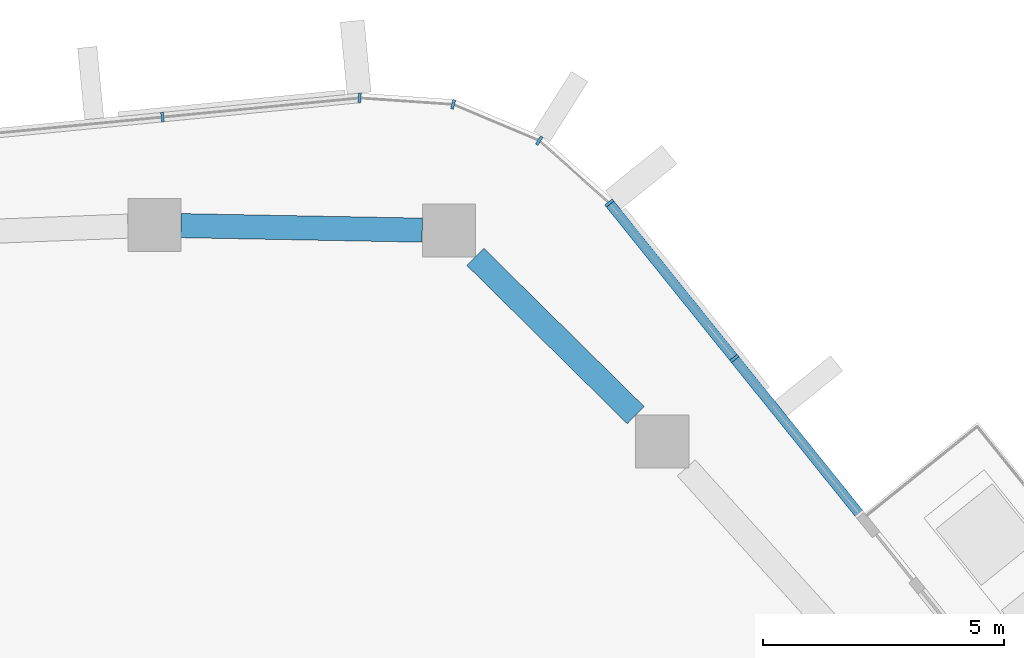
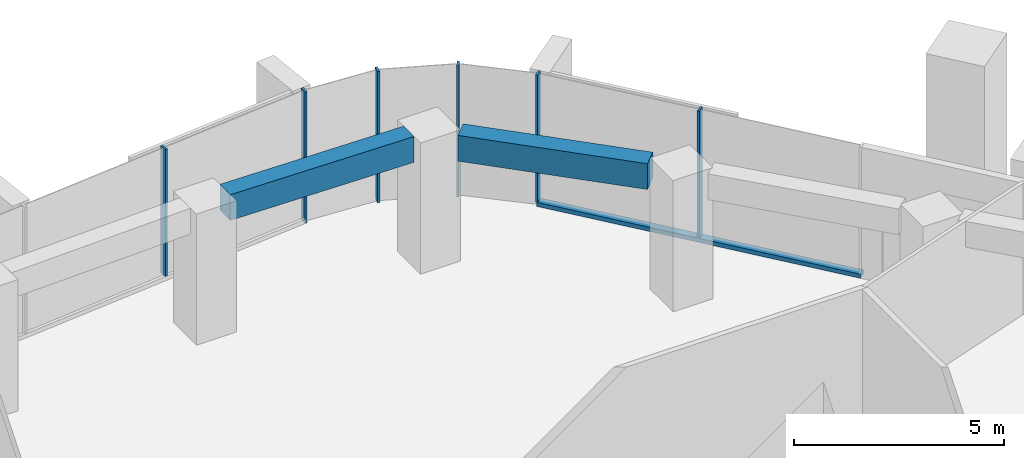
# One storey, part 9 of 20: 7 members, 2 beams, 3 elements without a shape of their own.
"""IFC4 building model written with IfcOpenShell, lengths in metres."""

from ifc_helpers import new_model, si_unit, direction, frame, origin, origin_2d, place, context, subcontext, project, spatial, rectangle, extrude, material, layer, layer_set, material_profile, profile_set, type_object, element, aggregate, save


model = new_model("IFC4")

# Units and contexts
model_context = context("Model", 3, precision=1e-05, world=origin(), true_north=direction((0.0, 1.0)))
body_context = subcontext(model_context, "Body", "Model", "MODEL_VIEW")
ifc_project = project(units=[si_unit("LENGTHUNIT", "METRE"), si_unit("AREAUNIT", "SQUARE_METRE"), si_unit("VOLUMEUNIT", "CUBIC_METRE"), si_unit("PLANEANGLEUNIT", "RADIAN"), si_unit("MASSUNIT", "GRAM", prefix="KILO")], contexts=[model_context])

# Site, building, storey
site_placement = place(None, origin())
site = spatial("IfcSite", under=ifc_project, at=site_placement, CompositionType="ELEMENT")
building_placement = place(site_placement, origin())
building = spatial("IfcBuilding", under=site, at=building_placement, Name="Dongbaek Canopy Tower", CompositionType="ELEMENT")
storey_placement = place(building_placement, frame((0.0, 0.0, 262.199951171875)))
storey = spatial("IfcBuildingStorey", under=building, at=storey_placement, Name="L55", CompositionType="ELEMENT", Elevation=262.199951171875)

# Curtain wall, members
ifc_material_1 = material(Name="Aluminium 6063-T6 pale anodised", Category="aluminium")
ifc_layer = layer(ifc_material_1, 0.199951171875)
ifc_layer_set = layer_set([ifc_layer], Name="CW-1 unitised tower curtain wall")
curtain_wall_type = type_object("IfcCurtainWallType", Name="CW-1 unitised tower curtain wall", PredefinedType="NOTDEFINED", material=ifc_layer_set)
curtain_wall_1_placement = place(storey_placement, origin())
curtain_wall_1 = element("IfcCurtainWall", 1, at=curtain_wall_1_placement, inside=storey, type_object=curtain_wall_type, Name="CW-1 curtain wall F0.1", PredefinedType="NOTDEFINED")
ifc_material_2 = material(Name="Aluminium 6063-T6 pale anodised", Category="aluminium")
ifc_material_profile_1 = material_profile(ifc_material_2, rectangle(XDim=0.199951171875, YDim=0.06005859375, at=origin_2d()), Name="CW-1 mullion 60 x 200")
ifc_profile_set_1 = profile_set([ifc_material_profile_1], Name="Aluminium 6063-T6 pale anodised")
member_type_1 = type_object("IfcMemberType", Name="CW-1 mullion 60 x 200", PredefinedType="MULLION", material=ifc_profile_set_1)
member_1_placement = place(storey_placement, frame((16.91357421875, 21.947998046875, 0.1201171875), z_axis=(0.0, 0.0, 1.0), x_axis=(0.779126406475, 0.626866846096, 0.0)))
member_1 = element("IfcMember", 2, at=member_1_placement, type_object=member_type_1, Name="CW-1 mullion F0.1.2", PredefinedType="MULLION", context=body_context, shape_type="SweptSolid", body=[
    extrude(rectangle(XDim=0.199951171875, YDim=0.06005859375, at=origin_2d()), origin(), (0.0, 0.0, 1.0), 3.699951171875),
])
member_2_placement = place(storey_placement, frame((14.3193359375, 25.17236328125, 0.1201171875), z_axis=(0.0, 0.0, 1.0), x_axis=(0.779126406475, 0.626866846096, 0.0)))
member_2 = element("IfcMember", 3, at=member_2_placement, type_object=member_type_1, Name="CW-1 mullion F0.1.3", PredefinedType="MULLION", context=body_context, shape_type="SweptSolid", body=[
    extrude(rectangle(XDim=0.199951171875, YDim=0.06005859375, at=origin_2d()), origin(), (0.0, 0.0, 1.0), 3.699951171875),
])

curtain_wall_2_placement = place(storey_placement, origin())
curtain_wall_2 = element("IfcCurtainWall", 4, at=curtain_wall_2_placement, inside=storey, type_object=curtain_wall_type, Name="CW-1 curtain wall K1.1", PredefinedType="NOTDEFINED")
member_3_placement = place(storey_placement, frame((12.866943359375, 26.4677734375, 0.0), z_axis=(0.0, 0.0, 1.0), x_axis=(0.53397526662, 0.845500097361, 0.0)))
member_3 = element("IfcMember", 5, at=member_3_placement, type_object=member_type_1, Name="CW-1 mullion K1.1.2", PredefinedType="MULLION", context=body_context, shape_type="SweptSolid", body=[
    extrude(rectangle(XDim=0.199951171875, YDim=0.06005859375, at=origin_2d()), origin(), (0.0, 0.0, 1.0), 3.820068359375),
])
member_4_placement = place(storey_placement, frame((11.0810546875, 27.21923828125, 0.0), z_axis=(0.0, 0.0, 1.0), x_axis=(0.231208419805, 0.97290424329, 0.0)))
member_4 = element("IfcMember", 6, at=member_4_placement, type_object=member_type_1, Name="CW-1 mullion K1.1.3", PredefinedType="MULLION", context=body_context, shape_type="SweptSolid", body=[
    extrude(rectangle(XDim=0.199951171875, YDim=0.06005859375, at=origin_2d()), origin(), (0.0, 0.0, 1.0), 3.820068359375),
])
member_5_placement = place(storey_placement, frame((9.1396484375, 27.35205078125, 0.0), z_axis=(0.0, 0.0, 1.0), x_axis=(0.06827854959, 0.997666296748, 0.0)))
member_5 = element("IfcMember", 7, at=member_5_placement, type_object=member_type_1, Name="CW-1 mullion K1.1.4", PredefinedType="MULLION", context=body_context, shape_type="SweptSolid", body=[
    extrude(rectangle(XDim=0.199951171875, YDim=0.06005859375, at=origin_2d()), origin(), (0.0, 0.0, 1.0), 3.820068359375),
])
aggregate(curtain_wall_2, [member_3, member_4, member_5])

# Curtain wall, member
curtain_wall_3_placement = place(storey_placement, origin())
curtain_wall_3 = element("IfcCurtainWall", 8, at=curtain_wall_3_placement, inside=storey, type_object=curtain_wall_type, Name="CW-1 curtain wall F1.1", PredefinedType="NOTDEFINED")
member_6_placement = place(storey_placement, frame((5.051513671875, 26.95556640625, 0.1201171875), z_axis=(0.0, 0.0, 1.0), x_axis=(-0.096505718384, 0.995332430055, 0.0)))
member_6 = element("IfcMember", 9, at=member_6_placement, type_object=member_type_1, Name="CW-1 mullion F1.1.2", PredefinedType="MULLION", context=body_context, shape_type="SweptSolid", body=[
    extrude(rectangle(XDim=0.199951171875, YDim=0.06005859375, at=origin_2d()), origin(), (0.0, 0.0, 1.0), 3.699951171875),
])
aggregate(curtain_wall_3, [member_6])

# Member
ifc_material_3 = material(Name="Aluminium 6063-T6 pale anodised", Category="aluminium")
ifc_material_profile_2 = material_profile(ifc_material_3, rectangle(XDim=0.199951171875, YDim=0.1201171875, at=origin_2d()), Name="CW-1 transom 120 x 200")
ifc_profile_set_2 = profile_set([ifc_material_profile_2], Name="Aluminium 6063-T6 pale anodised")
member_type_2 = type_object("IfcMemberType", Name="CW-1 transom 120 x 200", PredefinedType="USERDEFINED", material=ifc_profile_set_2)
member_7_placement = place(storey_placement, frame((19.51318359375, 18.717041015625, 0.06005859375), z_axis=(-0.626870264411, 0.779123656166, 0.0), x_axis=(-0.779123656166, -0.626870264411, 0.0)))
member_7 = element("IfcMember", 10, at=member_7_placement, type_object=member_type_2, Name="CW-1 transom F0.1.1", ObjectType="TRANSOM", PredefinedType="USERDEFINED", context=body_context, shape_type="SweptSolid", body=[
    extrude(rectangle(XDim=0.199951171875, YDim=0.1201171875, at=origin_2d()), origin(), (0.0, 0.0, 1.0), 8.285400390625),
])

aggregate(curtain_wall_1, [member_1, member_2, member_7])

# Beams
ifc_material_4 = material(Name="Concrete C70", Category="concrete")
ifc_material_profile_3 = material_profile(ifc_material_4, rectangle(XDim=0.5, YDim=0.75, at=origin_2d()), Name="RC EDGE BEAM 500x750 C70")
ifc_profile_set_3 = profile_set([ifc_material_profile_3], Name="Concrete C70")
beam_type = type_object("IfcBeamType", Name="RC EDGE BEAM 500x750 C70", PredefinedType="BEAM", material=ifc_profile_set_3)
beam_1_placement = place(storey_placement, frame((5.43310546875, 24.70361328125, 3.445068359375), z_axis=(0.999822914654, -0.018818590065, 0.0), x_axis=(0.018818590065, 0.999822914654, 0.0)))
element("IfcBeam", 11, at=beam_1_placement, inside=storey, type_object=beam_type, Name="EDGEBEAM:L55:16", PredefinedType="BEAM", context=body_context, shape_type="SweptSolid", body=[
    extrude(rectangle(XDim=0.5, YDim=0.75, at=origin_2d()), origin(), (0.0, 0.0, 1.0), 5.0078125),
])
beam_2_placement = place(storey_placement, frame((11.5400390625, 24.05615234375, 3.445068359375), z_axis=(0.711738619198, -0.70244440203, 0.0), x_axis=(0.70244440203, 0.711738619198, 0.0)))
element("IfcBeam", 12, at=beam_2_placement, inside=storey, type_object=beam_type, Name="EDGEBEAM:L55:17", PredefinedType="BEAM", context=body_context, shape_type="SweptSolid", body=[
    extrude(rectangle(XDim=0.5, YDim=0.75, at=origin_2d()), origin(), (0.0, 0.0, 1.0), 4.67578125),
])

save(model, "model.ifc")
